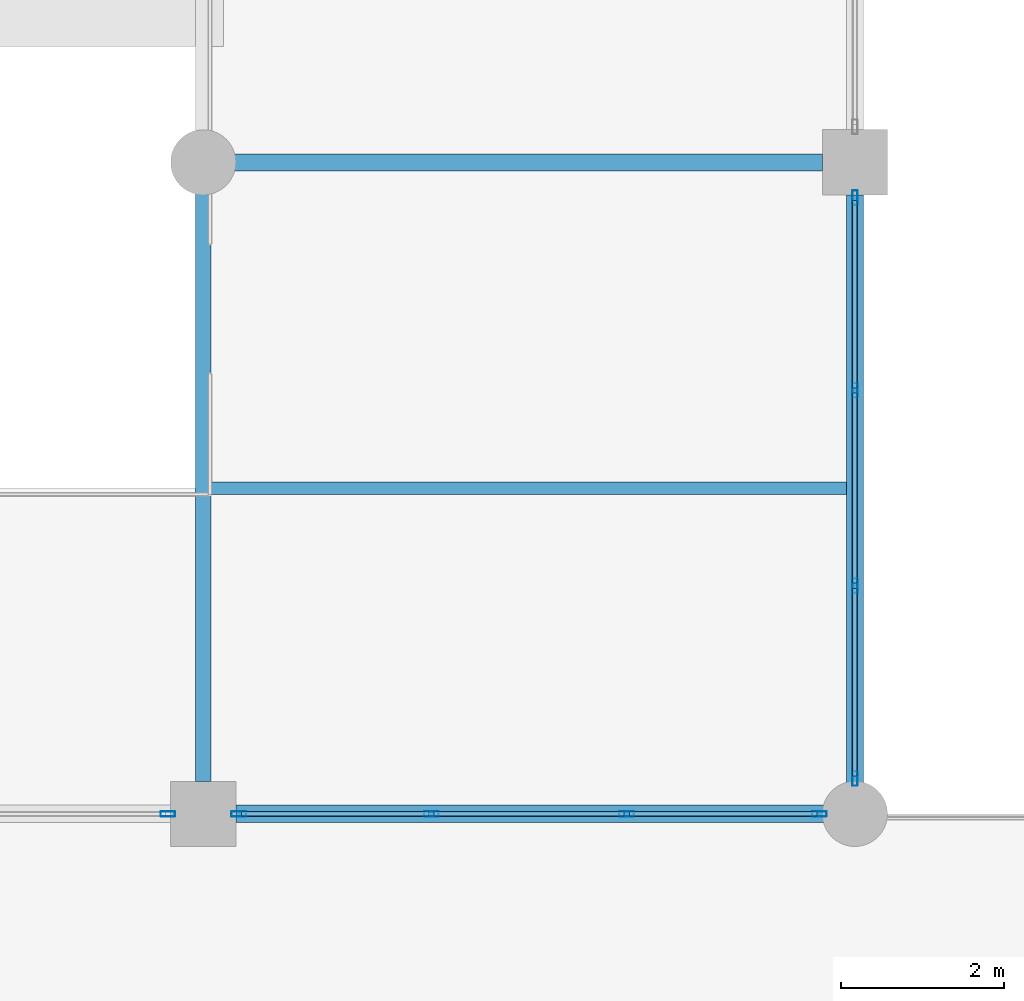
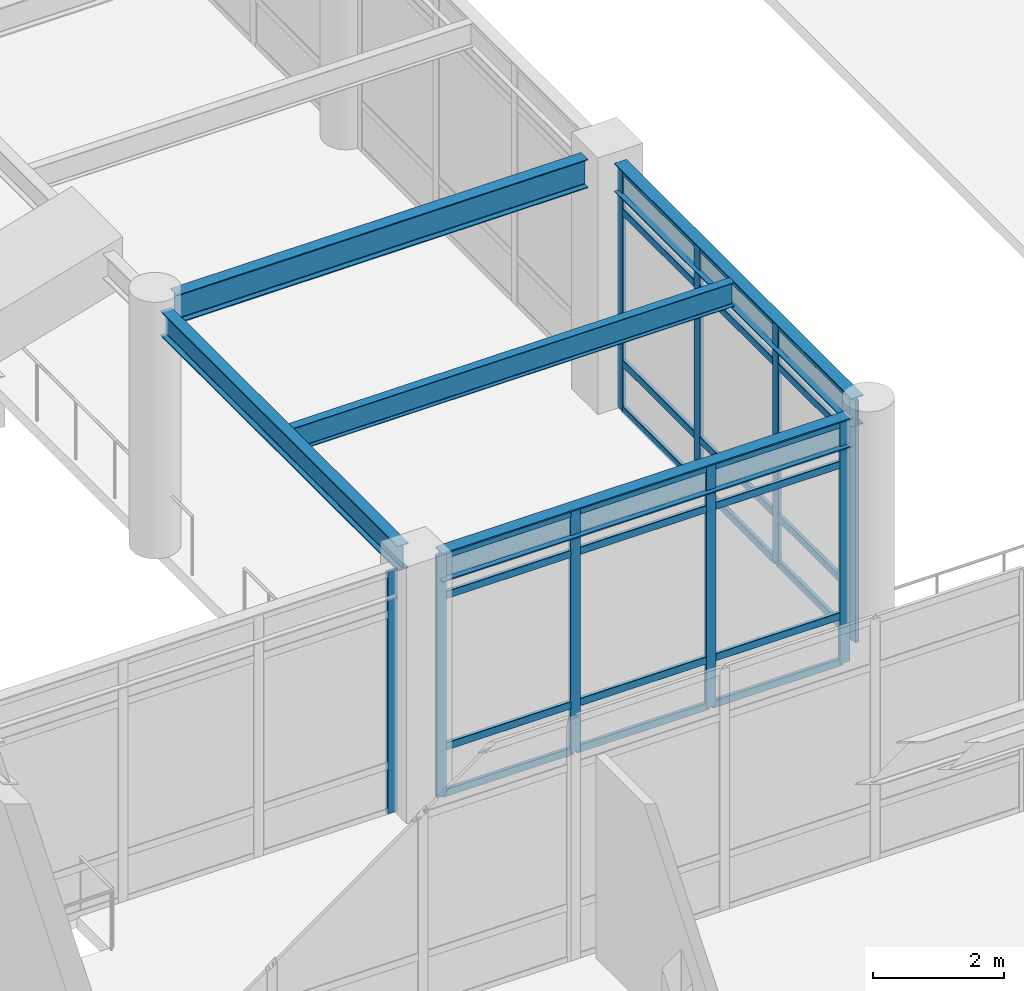
# One storey, part 44 of 117: 33 members, 5 beams, 3 elements without a shape of their own.
"""IFC4 building model written with IfcOpenShell, lengths in metres."""

from ifc_helpers import new_model, si_unit, direction, frame, origin, origin_2d, place, context, subcontext, project, spatial, hollow_rectangle, i_section, extrude, material, material_profile, profile_set, type_object, element, aggregate, save


model = new_model("IFC4")

# Units and contexts
model_context = context("Model", 3, precision=1e-05, world=origin(), true_north=direction((0.0, 1.0)))
body_context = subcontext(model_context, "Body", "Model", "MODEL_VIEW")
ifc_project = project(units=[si_unit("LENGTHUNIT", "METRE"), si_unit("AREAUNIT", "SQUARE_METRE"), si_unit("VOLUMEUNIT", "CUBIC_METRE"), si_unit("PLANEANGLEUNIT", "RADIAN"), si_unit("MASSUNIT", "GRAM", prefix="KILO")], contexts=[model_context])

# Site, building, storey
site_placement = place(None, origin())
site = spatial("IfcSite", under=ifc_project, at=site_placement, CompositionType="ELEMENT")
building_placement = place(site_placement, origin())
building = spatial("IfcBuilding", under=site, at=building_placement, Name="Solmirada Galleria", CompositionType="ELEMENT")
storey_placement = place(building_placement, frame((0.0, 0.0, 5.60009765625)))
storey = spatial("IfcBuildingStorey", under=building, at=storey_placement, Name="L01", CompositionType="ELEMENT", Elevation=5.60009765625)

# Beams
ifc_material_1 = material(Name="Steel S355 / ASTM A992 Grade 50", Category="steel")
ifc_material_profile_1 = material_profile(ifc_material_1, i_section(OverallWidth=0.194091796875, OverallDepth=0.468994140625, WebThickness=0.0126953125, FlangeThickness=0.0205078125, FilletRadius=0.013916015625, at=origin_2d()), Name="W18X71")
ifc_profile_set_1 = profile_set([ifc_material_profile_1], Name="Steel S355 / ASTM A992 Grade 50")
beam_type_1 = type_object("IfcBeamType", Name="BM-GIRD-W18B", PredefinedType="BEAM", material=ifc_profile_set_1)
beam_1_placement = place(storey_placement, frame((104.0, 48.39990234375, 4.365478515625), z_axis=(0.0, 1.0, 0.0), x_axis=(-1.0, 0.0, 0.0)))
element("IfcBeam", 1, at=beam_1_placement, inside=storey, type_object=beam_type_1, Name="Primary girder L02 Y(104, 48..56)", PredefinedType="BEAM", context=body_context, shape_type="SweptSolid", body=[
    extrude(i_section(OverallWidth=0.194091796875, OverallDepth=0.468994140625, WebThickness=0.0126953125, FlangeThickness=0.0205078125, FilletRadius=0.013916015625, at=origin_2d()), origin(), (0.0, 0.0, 1.0), 7.26416015625),
])
ifc_material_profile_2 = material_profile(ifc_material_1, i_section(OverallWidth=0.214111328125, OverallDepth=0.549072265625, WebThickness=0.0146484375, FlangeThickness=0.023681640625, FilletRadius=0.014892578125, at=origin_2d()), Name="W21X93")
ifc_profile_set_2 = profile_set([ifc_material_profile_2], Name="Steel S355 / ASTM A992 Grade 50")
beam_type_2 = type_object("IfcBeamType", Name="BM-GIRD-W21A", PredefinedType="BEAM", material=ifc_profile_set_2)
beam_2_placement = place(storey_placement, frame((104.39990234375, 48.0, 4.325439453125), z_axis=(1.0, 0.0, 0.0), x_axis=(0.0, 1.0, 0.0)))
element("IfcBeam", 2, at=beam_2_placement, inside=storey, type_object=beam_type_2, Name="Primary beam L02 X(104..112, 48)", PredefinedType="BEAM", context=body_context, shape_type="SweptSolid", body=[
    extrude(i_section(OverallWidth=0.214111328125, OverallDepth=0.549072265625, WebThickness=0.0146484375, FlangeThickness=0.023681640625, FilletRadius=0.014892578125, at=origin_2d()), origin(), (0.0, 0.0, 1.0), 7.26416015625),
])
ifc_material_profile_3 = material_profile(ifc_material_1, i_section(OverallWidth=0.2099609375, OverallDepth=0.537109375, WebThickness=0.010986328125, FlangeThickness=0.017333984375, FilletRadius=0.014892578125, at=origin_2d()), Name="W21X68")
ifc_profile_set_3 = profile_set([ifc_material_profile_3], Name="Steel S355 / ASTM A992 Grade 50")
beam_type_3 = type_object("IfcBeamType", Name="BM-GIRD-W21B", PredefinedType="BEAM", material=ifc_profile_set_3)
for number, where, z_axis, x_axis, name in (
    (3, (104.3359375, 56.0, 4.331298828125), (1.0, 0.0, 0.0), (0.0, 1.0, 0.0), "Primary beam L02 X(104..112, 56)"),
    (4, (112.0, 48.3359375, 4.331298828125), (0.0, 1.0, 0.0), (-1.0, 0.0, 0.0), "Primary girder L02 Y(112, 48..56)"),
):
    element("IfcBeam", number, at=place(storey_placement, frame(where, z_axis=z_axis, x_axis=x_axis)), inside=storey, type_object=beam_type_3, Name=name, PredefinedType="BEAM", context=body_context, shape_type="SweptSolid", body=[
        extrude(i_section(OverallWidth=0.2099609375, OverallDepth=0.537109375, WebThickness=0.010986328125, FlangeThickness=0.017333984375, FilletRadius=0.014892578125, at=origin_2d()), origin(), (0.0, 0.0, 1.0), 7.26416015625),
    ])
ifc_material_profile_4 = material_profile(ifc_material_1, i_section(OverallWidth=0.152099609375, OverallDepth=0.449951171875, WebThickness=0.007568359375, FlangeThickness=0.0107421875, FilletRadius=0.011962890625, at=origin_2d()), Name="W18X35")
ifc_profile_set_4 = profile_set([ifc_material_profile_4], Name="Steel S355 / ASTM A992 Grade 50")
beam_type_4 = type_object("IfcBeamType", Name="BM-JST-W18B", PredefinedType="JOIST", material=ifc_profile_set_4)
beam_3_placement = place(storey_placement, frame((104.096923828125, 52.0, 4.375), z_axis=(1.0, 0.0, 0.0), x_axis=(0.0, 1.0, 0.0)))
element("IfcBeam", 5, at=beam_3_placement, inside=storey, type_object=beam_type_4, Name="Composite floor joist L02 (104..112, 52.0)", PredefinedType="JOIST", context=body_context, shape_type="SweptSolid", body=[
    extrude(i_section(OverallWidth=0.152099609375, OverallDepth=0.449951171875, WebThickness=0.007568359375, FlangeThickness=0.0107421875, FilletRadius=0.011962890625, at=origin_2d()), origin(), (0.0, 0.0, 1.0), 7.798095703125),
])

# Curtain wall, members
ifc_material_2 = material(Name="Impact-resistant low-E double glazing", Category="glass")
curtain_wall_type = type_object("IfcCurtainWallType", Name="CW-FZ3-L01-B3-L072", PredefinedType="NOTDEFINED", material=ifc_material_2)
curtain_wall_1_placement = place(storey_placement, origin())
curtain_wall_1 = element("IfcCurtainWall", 6, at=curtain_wall_1_placement, inside=storey, type_object=curtain_wall_type, Name="Terrace and arcade storefront CW-L01-070", PredefinedType="NOTDEFINED")
ifc_material_3 = material(Name="Anodised aluminium framing", Category="aluminium")
ifc_material_profile_5 = material_profile(ifc_material_3, hollow_rectangle(XDim=0.06494140625, YDim=0.179931640625, WallThickness=0.00390625, InnerFilletRadius=0.00390625, OuterFilletRadius=0.008056640625, at=origin_2d()), Name="ALU-MULL-180X65")
ifc_profile_set_5 = profile_set([ifc_material_profile_5], Name="Anodised aluminium framing")
member_type_1 = type_object("IfcMemberType", Name="CW-MULL-180", PredefinedType="MULLION", material=ifc_profile_set_5)
member_1_placement = place(storey_placement, frame((112.0, 55.5654296875, 0.0), z_axis=(0.0, 0.0, 1.0), x_axis=(1.0, 0.0, 0.0)))
member_1 = element("IfcMember", 7, at=member_1_placement, type_object=member_type_1, Name="CW12 mullion 1", PredefinedType="MULLION", context=body_context, shape_type="SweptSolid", body=[
    extrude(hollow_rectangle(XDim=0.06494140625, YDim=0.179931640625, WallThickness=0.00390625, InnerFilletRadius=0.00390625, OuterFilletRadius=0.008056640625, at=origin_2d()), origin(), (0.0, 0.0, 1.0), 4.52001953125),
])
member_2_placement = place(storey_placement, frame((112.0, 53.19921875, 0.0), z_axis=(0.0, 0.0, 1.0), x_axis=(1.0, 0.0, 0.0)))
member_2 = element("IfcMember", 8, at=member_2_placement, type_object=member_type_1, Name="CW12 mullion 2", PredefinedType="MULLION", context=body_context, shape_type="SweptSolid", body=[
    extrude(hollow_rectangle(XDim=0.06494140625, YDim=0.179931640625, WallThickness=0.00390625, InnerFilletRadius=0.00390625, OuterFilletRadius=0.008056640625, at=origin_2d()), origin(), (0.0, 0.0, 1.0), 4.52001953125),
])
member_3_placement = place(storey_placement, frame((112.0, 50.80078125, 0.0), z_axis=(0.0, 0.0, 1.0), x_axis=(1.0, 0.0, 0.0)))
member_3 = element("IfcMember", 9, at=member_3_placement, type_object=member_type_1, Name="CW12 mullion 3", PredefinedType="MULLION", context=body_context, shape_type="SweptSolid", body=[
    extrude(hollow_rectangle(XDim=0.06494140625, YDim=0.179931640625, WallThickness=0.00390625, InnerFilletRadius=0.00390625, OuterFilletRadius=0.008056640625, at=origin_2d()), origin(), (0.0, 0.0, 1.0), 4.52001953125),
])
member_4_placement = place(storey_placement, frame((112.0, 48.4345703125, 0.0), z_axis=(0.0, 0.0, 1.0), x_axis=(1.0, 0.0, 0.0)))
member_4 = element("IfcMember", 10, at=member_4_placement, type_object=member_type_1, Name="CW12 mullion 4", PredefinedType="MULLION", context=body_context, shape_type="SweptSolid", body=[
    extrude(hollow_rectangle(XDim=0.06494140625, YDim=0.179931640625, WallThickness=0.00390625, InnerFilletRadius=0.00390625, OuterFilletRadius=0.008056640625, at=origin_2d()), origin(), (0.0, 0.0, 1.0), 4.52001953125),
])

curtain_wall_2_placement = place(storey_placement, origin())
curtain_wall_2 = element("IfcCurtainWall", 11, at=curtain_wall_2_placement, inside=storey, type_object=curtain_wall_type, Name="Terrace and arcade storefront CW-L01-071", PredefinedType="NOTDEFINED")
member_5_placement = place(storey_placement, frame((111.5654296875, 48.0, 0.0), z_axis=(0.0, 0.0, 1.0), x_axis=(0.0, -1.0, 0.0)))
member_5 = element("IfcMember", 12, at=member_5_placement, type_object=member_type_1, Name="CW12 mullion 1", PredefinedType="MULLION", context=body_context, shape_type="SweptSolid", body=[
    extrude(hollow_rectangle(XDim=0.06494140625, YDim=0.179931640625, WallThickness=0.00390625, InnerFilletRadius=0.00390625, OuterFilletRadius=0.008056640625, at=origin_2d()), origin(), (0.0, 0.0, 1.0), 4.52001953125),
])
member_6_placement = place(storey_placement, frame((109.19921875, 48.0, 0.0), z_axis=(0.0, 0.0, 1.0), x_axis=(0.0, -1.0, 0.0)))
member_6 = element("IfcMember", 13, at=member_6_placement, type_object=member_type_1, Name="CW12 mullion 2", PredefinedType="MULLION", context=body_context, shape_type="SweptSolid", body=[
    extrude(hollow_rectangle(XDim=0.06494140625, YDim=0.179931640625, WallThickness=0.00390625, InnerFilletRadius=0.00390625, OuterFilletRadius=0.008056640625, at=origin_2d()), origin(), (0.0, 0.0, 1.0), 4.52001953125),
])
member_7_placement = place(storey_placement, frame((106.80078125, 48.0, 0.0), z_axis=(0.0, 0.0, 1.0), x_axis=(0.0, -1.0, 0.0)))
member_7 = element("IfcMember", 14, at=member_7_placement, type_object=member_type_1, Name="CW12 mullion 3", PredefinedType="MULLION", context=body_context, shape_type="SweptSolid", body=[
    extrude(hollow_rectangle(XDim=0.06494140625, YDim=0.179931640625, WallThickness=0.00390625, InnerFilletRadius=0.00390625, OuterFilletRadius=0.008056640625, at=origin_2d()), origin(), (0.0, 0.0, 1.0), 4.52001953125),
])
member_8_placement = place(storey_placement, frame((104.4345703125, 48.0, 0.0), z_axis=(0.0, 0.0, 1.0), x_axis=(0.0, -1.0, 0.0)))
member_8 = element("IfcMember", 15, at=member_8_placement, type_object=member_type_1, Name="CW12 mullion 4", PredefinedType="MULLION", context=body_context, shape_type="SweptSolid", body=[
    extrude(hollow_rectangle(XDim=0.06494140625, YDim=0.179931640625, WallThickness=0.00390625, InnerFilletRadius=0.00390625, OuterFilletRadius=0.008056640625, at=origin_2d()), origin(), (0.0, 0.0, 1.0), 4.52001953125),
])

# Curtain wall, member
curtain_wall_3_placement = place(storey_placement, origin())
curtain_wall_3 = element("IfcCurtainWall", 16, at=curtain_wall_3_placement, inside=storey, type_object=curtain_wall_type, Name="Terrace and arcade storefront CW-L01-072", PredefinedType="NOTDEFINED")
member_9_placement = place(storey_placement, frame((103.5654296875, 48.0, 0.0), z_axis=(0.0, 0.0, 1.0), x_axis=(0.0, -1.0, 0.0)))
member_9 = element("IfcMember", 17, at=member_9_placement, type_object=member_type_1, Name="CW12 mullion 1", PredefinedType="MULLION", context=body_context, shape_type="SweptSolid", body=[
    extrude(hollow_rectangle(XDim=0.06494140625, YDim=0.179931640625, WallThickness=0.00390625, InnerFilletRadius=0.00390625, OuterFilletRadius=0.008056640625, at=origin_2d()), origin(), (0.0, 0.0, 1.0), 4.52001953125),
])
aggregate(curtain_wall_3, [member_9])

# Member
ifc_material_profile_6 = material_profile(ifc_material_3, hollow_rectangle(XDim=0.06494140625, YDim=0.139892578125, WallThickness=0.00341796875, InnerFilletRadius=0.00341796875, OuterFilletRadius=0.007080078125, at=origin_2d()), Name="ALU-TRAN-140X65")
ifc_profile_set_6 = profile_set([ifc_material_profile_6], Name="Anodised aluminium framing")
member_type_2 = type_object("IfcMemberType", Name="CW-TRAN-140", PredefinedType="USERDEFINED", material=ifc_profile_set_6)
member_10_placement = place(storey_placement, frame((112.0, 55.532958984375, 0.032470703125), z_axis=(0.0, -1.0, 0.0), x_axis=(1.0, 0.0, 0.0)))
member_10 = element("IfcMember", 18, at=member_10_placement, type_object=member_type_2, Name="CW12 transom 1.1", ObjectType="TRANSOM", PredefinedType="USERDEFINED", context=body_context, shape_type="SweptSolid", body=[
    extrude(hollow_rectangle(XDim=0.06494140625, YDim=0.139892578125, WallThickness=0.00341796875, InnerFilletRadius=0.00341796875, OuterFilletRadius=0.007080078125, at=origin_2d()), origin(), (0.0, 0.0, 1.0), 2.301025390625),
])

member_11_placement = place(storey_placement, frame((112.0, 55.532958984375, 0.89990234375), z_axis=(0.0, -1.0, 0.0), x_axis=(1.0, 0.0, 0.0)))
member_11 = element("IfcMember", 19, at=member_11_placement, type_object=member_type_2, Name="CW12 transom 1.2", ObjectType="TRANSOM", PredefinedType="USERDEFINED", context=body_context, shape_type="SweptSolid", body=[
    extrude(hollow_rectangle(XDim=0.06494140625, YDim=0.139892578125, WallThickness=0.00341796875, InnerFilletRadius=0.00341796875, OuterFilletRadius=0.007080078125, at=origin_2d()), origin(), (0.0, 0.0, 1.0), 2.301025390625),
])

member_12_placement = place(storey_placement, frame((112.0, 55.532958984375, 3.72998046875), z_axis=(0.0, -1.0, 0.0), x_axis=(1.0, 0.0, 0.0)))
member_12 = element("IfcMember", 20, at=member_12_placement, type_object=member_type_2, Name="CW12 transom 1.3", ObjectType="TRANSOM", PredefinedType="USERDEFINED", context=body_context, shape_type="SweptSolid", body=[
    extrude(hollow_rectangle(XDim=0.06494140625, YDim=0.139892578125, WallThickness=0.00341796875, InnerFilletRadius=0.00341796875, OuterFilletRadius=0.007080078125, at=origin_2d()), origin(), (0.0, 0.0, 1.0), 2.301025390625),
])

member_13_placement = place(storey_placement, frame((112.0, 55.532958984375, 4.4873046875), z_axis=(0.0, -1.0, 0.0), x_axis=(1.0, 0.0, 0.0)))
member_13 = element("IfcMember", 21, at=member_13_placement, type_object=member_type_2, Name="CW12 transom 1.4", ObjectType="TRANSOM", PredefinedType="USERDEFINED", context=body_context, shape_type="SweptSolid", body=[
    extrude(hollow_rectangle(XDim=0.06494140625, YDim=0.139892578125, WallThickness=0.00341796875, InnerFilletRadius=0.00341796875, OuterFilletRadius=0.007080078125, at=origin_2d()), origin(), (0.0, 0.0, 1.0), 2.301025390625),
])

member_14_placement = place(storey_placement, frame((112.0, 53.166748046875, 0.032470703125), z_axis=(0.0, -1.0, 0.0), x_axis=(1.0, 0.0, 0.0)))
member_14 = element("IfcMember", 22, at=member_14_placement, type_object=member_type_2, Name="CW12 transom 2.1", ObjectType="TRANSOM", PredefinedType="USERDEFINED", context=body_context, shape_type="SweptSolid", body=[
    extrude(hollow_rectangle(XDim=0.06494140625, YDim=0.139892578125, WallThickness=0.00341796875, InnerFilletRadius=0.00341796875, OuterFilletRadius=0.007080078125, at=origin_2d()), origin(), (0.0, 0.0, 1.0), 2.33349609375),
])

member_15_placement = place(storey_placement, frame((112.0, 53.166748046875, 0.89990234375), z_axis=(0.0, -1.0, 0.0), x_axis=(1.0, 0.0, 0.0)))
member_15 = element("IfcMember", 23, at=member_15_placement, type_object=member_type_2, Name="CW12 transom 2.2", ObjectType="TRANSOM", PredefinedType="USERDEFINED", context=body_context, shape_type="SweptSolid", body=[
    extrude(hollow_rectangle(XDim=0.06494140625, YDim=0.139892578125, WallThickness=0.00341796875, InnerFilletRadius=0.00341796875, OuterFilletRadius=0.007080078125, at=origin_2d()), origin(), (0.0, 0.0, 1.0), 2.33349609375),
])

member_16_placement = place(storey_placement, frame((112.0, 53.166748046875, 3.72998046875), z_axis=(0.0, -1.0, 0.0), x_axis=(1.0, 0.0, 0.0)))
member_16 = element("IfcMember", 24, at=member_16_placement, type_object=member_type_2, Name="CW12 transom 2.3", ObjectType="TRANSOM", PredefinedType="USERDEFINED", context=body_context, shape_type="SweptSolid", body=[
    extrude(hollow_rectangle(XDim=0.06494140625, YDim=0.139892578125, WallThickness=0.00341796875, InnerFilletRadius=0.00341796875, OuterFilletRadius=0.007080078125, at=origin_2d()), origin(), (0.0, 0.0, 1.0), 2.33349609375),
])

member_17_placement = place(storey_placement, frame((112.0, 53.166748046875, 4.4873046875), z_axis=(0.0, -1.0, 0.0), x_axis=(1.0, 0.0, 0.0)))
member_17 = element("IfcMember", 25, at=member_17_placement, type_object=member_type_2, Name="CW12 transom 2.4", ObjectType="TRANSOM", PredefinedType="USERDEFINED", context=body_context, shape_type="SweptSolid", body=[
    extrude(hollow_rectangle(XDim=0.06494140625, YDim=0.139892578125, WallThickness=0.00341796875, InnerFilletRadius=0.00341796875, OuterFilletRadius=0.007080078125, at=origin_2d()), origin(), (0.0, 0.0, 1.0), 2.33349609375),
])

member_18_placement = place(storey_placement, frame((112.0, 50.76806640625, 0.032470703125), z_axis=(0.0, -1.0, 0.0), x_axis=(1.0, 0.0, 0.0)))
member_18 = element("IfcMember", 26, at=member_18_placement, type_object=member_type_2, Name="CW12 transom 3.1", ObjectType="TRANSOM", PredefinedType="USERDEFINED", context=body_context, shape_type="SweptSolid", body=[
    extrude(hollow_rectangle(XDim=0.06494140625, YDim=0.139892578125, WallThickness=0.00341796875, InnerFilletRadius=0.00341796875, OuterFilletRadius=0.007080078125, at=origin_2d()), origin(), (0.0, 0.0, 1.0), 2.301025390625),
])

member_19_placement = place(storey_placement, frame((112.0, 50.76806640625, 0.89990234375), z_axis=(0.0, -1.0, 0.0), x_axis=(1.0, 0.0, 0.0)))
member_19 = element("IfcMember", 27, at=member_19_placement, type_object=member_type_2, Name="CW12 transom 3.2", ObjectType="TRANSOM", PredefinedType="USERDEFINED", context=body_context, shape_type="SweptSolid", body=[
    extrude(hollow_rectangle(XDim=0.06494140625, YDim=0.139892578125, WallThickness=0.00341796875, InnerFilletRadius=0.00341796875, OuterFilletRadius=0.007080078125, at=origin_2d()), origin(), (0.0, 0.0, 1.0), 2.301025390625),
])

member_20_placement = place(storey_placement, frame((112.0, 50.76806640625, 3.72998046875), z_axis=(0.0, -1.0, 0.0), x_axis=(1.0, 0.0, 0.0)))
member_20 = element("IfcMember", 28, at=member_20_placement, type_object=member_type_2, Name="CW12 transom 3.3", ObjectType="TRANSOM", PredefinedType="USERDEFINED", context=body_context, shape_type="SweptSolid", body=[
    extrude(hollow_rectangle(XDim=0.06494140625, YDim=0.139892578125, WallThickness=0.00341796875, InnerFilletRadius=0.00341796875, OuterFilletRadius=0.007080078125, at=origin_2d()), origin(), (0.0, 0.0, 1.0), 2.301025390625),
])

member_21_placement = place(storey_placement, frame((112.0, 50.76806640625, 4.4873046875), z_axis=(0.0, -1.0, 0.0), x_axis=(1.0, 0.0, 0.0)))
member_21 = element("IfcMember", 29, at=member_21_placement, type_object=member_type_2, Name="CW12 transom 3.4", ObjectType="TRANSOM", PredefinedType="USERDEFINED", context=body_context, shape_type="SweptSolid", body=[
    extrude(hollow_rectangle(XDim=0.06494140625, YDim=0.139892578125, WallThickness=0.00341796875, InnerFilletRadius=0.00341796875, OuterFilletRadius=0.007080078125, at=origin_2d()), origin(), (0.0, 0.0, 1.0), 2.301025390625),
])

aggregate(curtain_wall_1, [member_1, member_2, member_3, member_4, member_10, member_11, member_12, member_13, member_14, member_15, member_16, member_17, member_18, member_19, member_20, member_21])

member_22_placement = place(storey_placement, frame((111.532958984375, 48.0, 0.032470703125), z_axis=(-1.0, 0.0, 0.0), x_axis=(0.0, -1.0, 0.0)))
member_22 = element("IfcMember", 30, at=member_22_placement, type_object=member_type_2, Name="CW12 transom 1.1", ObjectType="TRANSOM", PredefinedType="USERDEFINED", context=body_context, shape_type="SweptSolid", body=[
    extrude(hollow_rectangle(XDim=0.06494140625, YDim=0.139892578125, WallThickness=0.00341796875, InnerFilletRadius=0.00341796875, OuterFilletRadius=0.007080078125, at=origin_2d()), origin(), (0.0, 0.0, 1.0), 2.301025390625),
])

member_23_placement = place(storey_placement, frame((111.532958984375, 48.0, 0.89990234375), z_axis=(-1.0, 0.0, 0.0), x_axis=(0.0, -1.0, 0.0)))
member_23 = element("IfcMember", 31, at=member_23_placement, type_object=member_type_2, Name="CW12 transom 1.2", ObjectType="TRANSOM", PredefinedType="USERDEFINED", context=body_context, shape_type="SweptSolid", body=[
    extrude(hollow_rectangle(XDim=0.06494140625, YDim=0.139892578125, WallThickness=0.00341796875, InnerFilletRadius=0.00341796875, OuterFilletRadius=0.007080078125, at=origin_2d()), origin(), (0.0, 0.0, 1.0), 2.301025390625),
])

member_24_placement = place(storey_placement, frame((111.532958984375, 48.0, 3.72998046875), z_axis=(-1.0, 0.0, 0.0), x_axis=(0.0, -1.0, 0.0)))
member_24 = element("IfcMember", 32, at=member_24_placement, type_object=member_type_2, Name="CW12 transom 1.3", ObjectType="TRANSOM", PredefinedType="USERDEFINED", context=body_context, shape_type="SweptSolid", body=[
    extrude(hollow_rectangle(XDim=0.06494140625, YDim=0.139892578125, WallThickness=0.00341796875, InnerFilletRadius=0.00341796875, OuterFilletRadius=0.007080078125, at=origin_2d()), origin(), (0.0, 0.0, 1.0), 2.301025390625),
])

member_25_placement = place(storey_placement, frame((111.532958984375, 48.0, 4.4873046875), z_axis=(-1.0, 0.0, 0.0), x_axis=(0.0, -1.0, 0.0)))
member_25 = element("IfcMember", 33, at=member_25_placement, type_object=member_type_2, Name="CW12 transom 1.4", ObjectType="TRANSOM", PredefinedType="USERDEFINED", context=body_context, shape_type="SweptSolid", body=[
    extrude(hollow_rectangle(XDim=0.06494140625, YDim=0.139892578125, WallThickness=0.00341796875, InnerFilletRadius=0.00341796875, OuterFilletRadius=0.007080078125, at=origin_2d()), origin(), (0.0, 0.0, 1.0), 2.301025390625),
])

member_26_placement = place(storey_placement, frame((109.166748046875, 48.0, 0.032470703125), z_axis=(-1.0, 0.0, 0.0), x_axis=(0.0, -1.0, 0.0)))
member_26 = element("IfcMember", 34, at=member_26_placement, type_object=member_type_2, Name="CW12 transom 2.1", ObjectType="TRANSOM", PredefinedType="USERDEFINED", context=body_context, shape_type="SweptSolid", body=[
    extrude(hollow_rectangle(XDim=0.06494140625, YDim=0.139892578125, WallThickness=0.00341796875, InnerFilletRadius=0.00341796875, OuterFilletRadius=0.007080078125, at=origin_2d()), origin(), (0.0, 0.0, 1.0), 2.33349609375),
])

member_27_placement = place(storey_placement, frame((109.166748046875, 48.0, 0.89990234375), z_axis=(-1.0, 0.0, 0.0), x_axis=(0.0, -1.0, 0.0)))
member_27 = element("IfcMember", 35, at=member_27_placement, type_object=member_type_2, Name="CW12 transom 2.2", ObjectType="TRANSOM", PredefinedType="USERDEFINED", context=body_context, shape_type="SweptSolid", body=[
    extrude(hollow_rectangle(XDim=0.06494140625, YDim=0.139892578125, WallThickness=0.00341796875, InnerFilletRadius=0.00341796875, OuterFilletRadius=0.007080078125, at=origin_2d()), origin(), (0.0, 0.0, 1.0), 2.33349609375),
])

member_28_placement = place(storey_placement, frame((109.166748046875, 48.0, 3.72998046875), z_axis=(-1.0, 0.0, 0.0), x_axis=(0.0, -1.0, 0.0)))
member_28 = element("IfcMember", 36, at=member_28_placement, type_object=member_type_2, Name="CW12 transom 2.3", ObjectType="TRANSOM", PredefinedType="USERDEFINED", context=body_context, shape_type="SweptSolid", body=[
    extrude(hollow_rectangle(XDim=0.06494140625, YDim=0.139892578125, WallThickness=0.00341796875, InnerFilletRadius=0.00341796875, OuterFilletRadius=0.007080078125, at=origin_2d()), origin(), (0.0, 0.0, 1.0), 2.33349609375),
])

member_29_placement = place(storey_placement, frame((109.166748046875, 48.0, 4.4873046875), z_axis=(-1.0, 0.0, 0.0), x_axis=(0.0, -1.0, 0.0)))
member_29 = element("IfcMember", 37, at=member_29_placement, type_object=member_type_2, Name="CW12 transom 2.4", ObjectType="TRANSOM", PredefinedType="USERDEFINED", context=body_context, shape_type="SweptSolid", body=[
    extrude(hollow_rectangle(XDim=0.06494140625, YDim=0.139892578125, WallThickness=0.00341796875, InnerFilletRadius=0.00341796875, OuterFilletRadius=0.007080078125, at=origin_2d()), origin(), (0.0, 0.0, 1.0), 2.33349609375),
])

member_30_placement = place(storey_placement, frame((106.76806640625, 48.0, 0.032470703125), z_axis=(-1.0, 0.0, 0.0), x_axis=(0.0, -1.0, 0.0)))
member_30 = element("IfcMember", 38, at=member_30_placement, type_object=member_type_2, Name="CW12 transom 3.1", ObjectType="TRANSOM", PredefinedType="USERDEFINED", context=body_context, shape_type="SweptSolid", body=[
    extrude(hollow_rectangle(XDim=0.06494140625, YDim=0.139892578125, WallThickness=0.00341796875, InnerFilletRadius=0.00341796875, OuterFilletRadius=0.007080078125, at=origin_2d()), origin(), (0.0, 0.0, 1.0), 2.301025390625),
])

member_31_placement = place(storey_placement, frame((106.76806640625, 48.0, 0.89990234375), z_axis=(-1.0, 0.0, 0.0), x_axis=(0.0, -1.0, 0.0)))
member_31 = element("IfcMember", 39, at=member_31_placement, type_object=member_type_2, Name="CW12 transom 3.2", ObjectType="TRANSOM", PredefinedType="USERDEFINED", context=body_context, shape_type="SweptSolid", body=[
    extrude(hollow_rectangle(XDim=0.06494140625, YDim=0.139892578125, WallThickness=0.00341796875, InnerFilletRadius=0.00341796875, OuterFilletRadius=0.007080078125, at=origin_2d()), origin(), (0.0, 0.0, 1.0), 2.301025390625),
])

member_32_placement = place(storey_placement, frame((106.76806640625, 48.0, 3.72998046875), z_axis=(-1.0, 0.0, 0.0), x_axis=(0.0, -1.0, 0.0)))
member_32 = element("IfcMember", 40, at=member_32_placement, type_object=member_type_2, Name="CW12 transom 3.3", ObjectType="TRANSOM", PredefinedType="USERDEFINED", context=body_context, shape_type="SweptSolid", body=[
    extrude(hollow_rectangle(XDim=0.06494140625, YDim=0.139892578125, WallThickness=0.00341796875, InnerFilletRadius=0.00341796875, OuterFilletRadius=0.007080078125, at=origin_2d()), origin(), (0.0, 0.0, 1.0), 2.301025390625),
])

member_33_placement = place(storey_placement, frame((106.76806640625, 48.0, 4.4873046875), z_axis=(-1.0, 0.0, 0.0), x_axis=(0.0, -1.0, 0.0)))
member_33 = element("IfcMember", 41, at=member_33_placement, type_object=member_type_2, Name="CW12 transom 3.4", ObjectType="TRANSOM", PredefinedType="USERDEFINED", context=body_context, shape_type="SweptSolid", body=[
    extrude(hollow_rectangle(XDim=0.06494140625, YDim=0.139892578125, WallThickness=0.00341796875, InnerFilletRadius=0.00341796875, OuterFilletRadius=0.007080078125, at=origin_2d()), origin(), (0.0, 0.0, 1.0), 2.301025390625),
])

aggregate(curtain_wall_2, [member_5, member_6, member_7, member_8, member_22, member_23, member_24, member_25, member_26, member_27, member_28, member_29, member_30, member_31, member_32, member_33])

save(model, "model.ifc")
